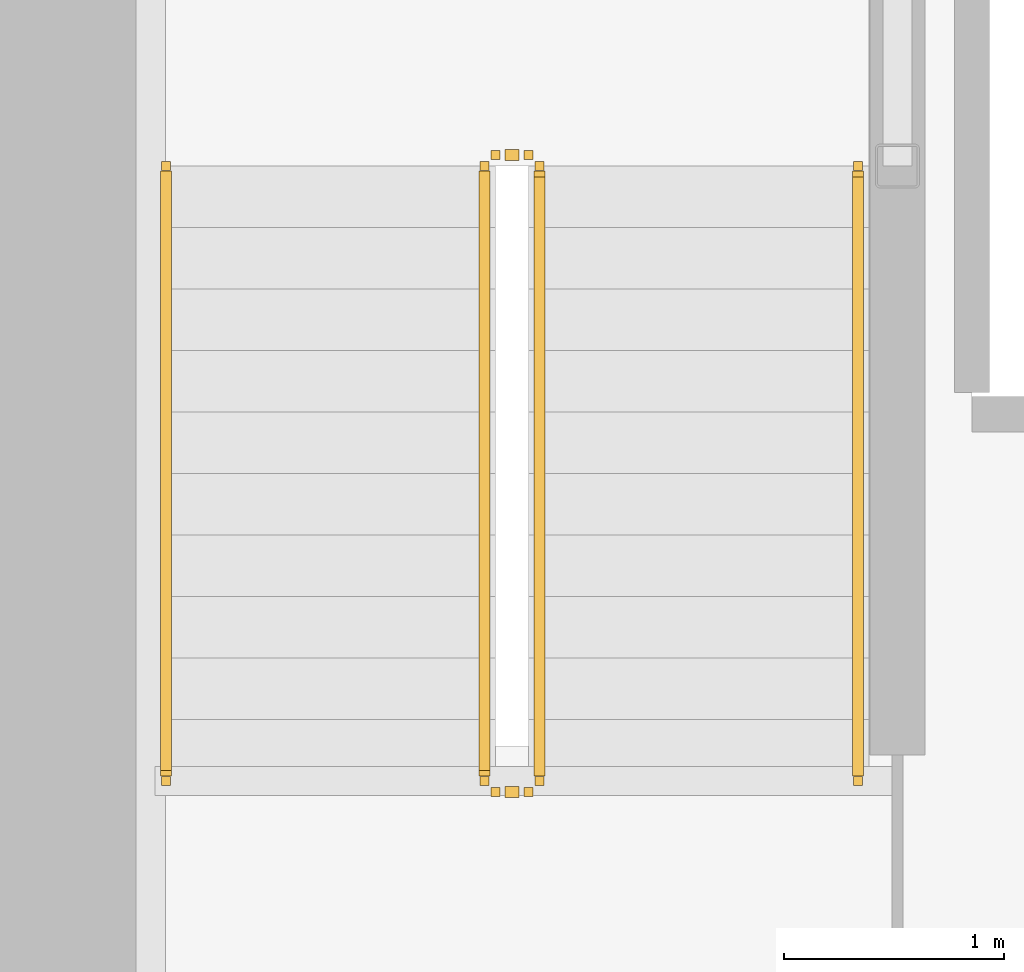
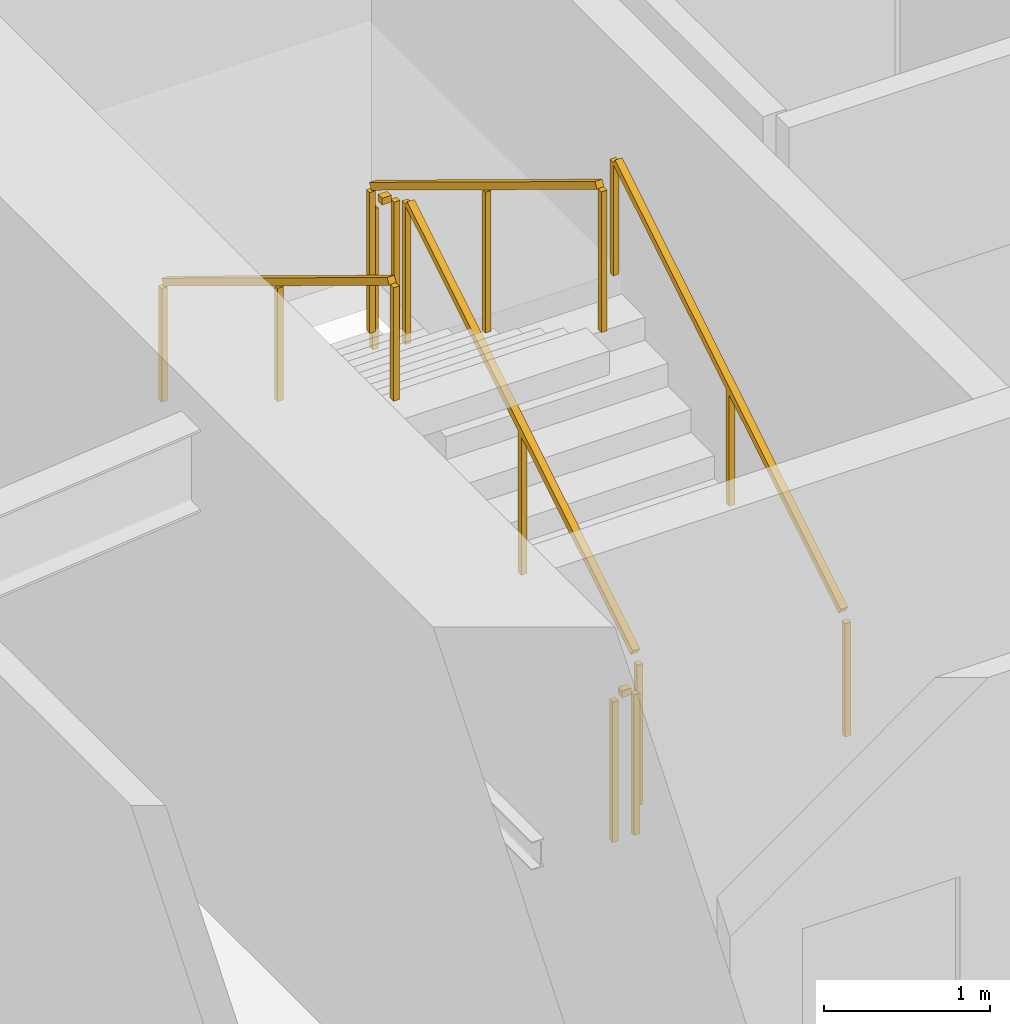
# One storey, part 26 of 31: 6 railings.
"""IFC4 building model written with IfcOpenShell, lengths in metres."""

from ifc_helpers import new_model, si_unit, direction, frame, origin, origin_2d, place, context, subcontext, project, spatial, rectangle, extrude, material, type_object, element, save


model = new_model("IFC4")

# Units and contexts
model_context = context("Model", 3, precision=1e-05, world=origin(), true_north=direction((0.0, 1.0)))
body_context = subcontext(model_context, "Body", "Model", "MODEL_VIEW")
ifc_project = project(units=[si_unit("LENGTHUNIT", "METRE"), si_unit("AREAUNIT", "SQUARE_METRE"), si_unit("VOLUMEUNIT", "CUBIC_METRE"), si_unit("PLANEANGLEUNIT", "RADIAN"), si_unit("MASSUNIT", "GRAM", prefix="KILO")], contexts=[model_context])

# Site, building, storey
site_placement = place(None, origin())
site = spatial("IfcSite", under=ifc_project, at=site_placement, CompositionType="ELEMENT")
building_placement = place(site_placement, origin())
building = spatial("IfcBuilding", under=site, at=building_placement, Name="Kazma Halo Residences", CompositionType="ELEMENT")
storey_placement = place(building_placement, frame((0.0, 0.0, 48.89990234375)))
storey = spatial("IfcBuildingStorey", under=building, at=storey_placement, Name="L11", CompositionType="ELEMENT", Elevation=48.89990234375)

# Railings
ifc_material_1 = material(Name="Painted Steel S355", Category="steel")
railing_type_1 = type_object("IfcRailingType", Name="RLG-STAIR-GRD-1100", PredefinedType="GUARDRAIL", material=ifc_material_1)
railing_1_placement = place(storey_placement, frame((39.550048828125, 39.949951171875, 0.170654296875)))
element("IfcRailing", 1, at=railing_1_placement, inside=storey, type_object=railing_type_1, Name="L11 ST-01 stair guard 1", PredefinedType="GUARDRAIL", context=body_context, shape_type="SweptSolid", body=[
    extrude(rectangle(XDim=0.050048828125, YDim=0.050048828125, at=origin_2d()), frame((0.0, 0.036376953125, 1.09716796875), z_axis=(0.0, 0.854202870247, 0.519939858505), x_axis=(-1.0, 0.0, 0.0)), (0.0, 0.0, 1.0), 3.19287109375),
    extrude(rectangle(XDim=0.0400390625, YDim=0.0400390625, at=origin_2d()), origin(), (0.0, 0.0, 1.0), 1.0380859375),
    extrude(rectangle(XDim=0.0400390625, YDim=0.0400390625, at=origin_2d()), frame((0.0, 1.39990234375, 0.85205078125)), (0.0, 0.0, 1.0), 1.0380859375),
    extrude(rectangle(XDim=0.0400390625, YDim=0.0400390625, at=origin_2d()), frame((0.0, 2.800048828125, 1.704345703125)), (0.0, 0.0, 1.0), 1.0380859375),
])
railing_2_placement = place(storey_placement, frame((39.5, 42.800048828125, 1.875)))
element("IfcRailing", 2, at=railing_2_placement, inside=storey, type_object=railing_type_1, Name="L11 ST-01 stair guard 2", PredefinedType="GUARDRAIL", context=body_context, shape_type="SweptSolid", body=[
    extrude(rectangle(XDim=0.050048828125, YDim=0.050048828125, at=origin_2d()), frame((-0.04248046875, 0.0, 1.0751953125), z_axis=(-1.0, 0.0, 0.0), x_axis=(0.0, -1.0, 0.0)), (0.0, 0.0, 1.0), 0.06494140625),
    extrude(rectangle(XDim=0.0400390625, YDim=0.0400390625, at=origin_2d()), origin(), (0.0, 0.0, 1.0), 1.0380859375),
    extrude(rectangle(XDim=0.0400390625, YDim=0.0400390625, at=origin_2d()), frame((-0.14990234375, 0.0, 0.0)), (0.0, 0.0, 1.0), 1.0380859375),
])
railing_3_placement = place(storey_placement, frame((39.300048828125, 42.75, 2.045654296875)))
element("IfcRailing", 3, at=railing_3_placement, inside=storey, type_object=railing_type_1, Name="L11 ST-01 stair guard 3", PredefinedType="GUARDRAIL", context=body_context, shape_type="SweptSolid", body=[
    extrude(rectangle(XDim=0.050048828125, YDim=0.050048828125, at=origin_2d()), frame((0.0, -0.036376953125, 1.09716796875), z_axis=(0.0, -0.854202870247, 0.519939858505), x_axis=(1.0, 0.0, 0.0)), (0.0, 0.0, 1.0), 3.19287109375),
    extrude(rectangle(XDim=0.0400390625, YDim=0.0400390625, at=origin_2d()), origin(), (0.0, 0.0, 1.0), 1.0380859375),
    extrude(rectangle(XDim=0.0400390625, YDim=0.0400390625, at=origin_2d()), frame((0.0, -1.39990234375, 0.85205078125)), (0.0, 0.0, 1.0), 1.0380859375),
    extrude(rectangle(XDim=0.0400390625, YDim=0.0400390625, at=origin_2d()), frame((0.0, -2.800048828125, 1.704345703125)), (0.0, 0.0, 1.0), 1.0380859375),
])
railing_4_placement = place(storey_placement, frame((39.5, 39.89990234375, 0.0)))
element("IfcRailing", 4, at=railing_4_placement, inside=storey, type_object=railing_type_1, Name="L11 ST-01 stair guard 4", PredefinedType="GUARDRAIL", context=body_context, shape_type="SweptSolid", body=[
    extrude(rectangle(XDim=0.050048828125, YDim=0.050048828125, at=origin_2d()), frame((-0.04248046875, 0.0, 1.0751953125), z_axis=(-1.0, 0.0, 0.0), x_axis=(0.0, -1.0, 0.0)), (0.0, 0.0, 1.0), 0.06494140625),
    extrude(rectangle(XDim=0.0400390625, YDim=0.0400390625, at=origin_2d()), origin(), (0.0, 0.0, 1.0), 1.0380859375),
    extrude(rectangle(XDim=0.0400390625, YDim=0.0400390625, at=origin_2d()), frame((-0.14990234375, 0.0, 0.0)), (0.0, 0.0, 1.0), 1.0380859375),
])
ifc_material_2 = material(Name="Brushed Stainless Steel", Category="steel")
railing_type_2 = type_object("IfcRailingType", Name="RLG-STAIR-HND-900", PredefinedType="HANDRAIL", material=ifc_material_2)
railing_5_placement = place(storey_placement, frame((41.0, 39.949951171875, 0.170654296875)))
element("IfcRailing", 5, at=railing_5_placement, inside=storey, type_object=railing_type_2, Name="L11 ST-01 stair handrail 1", PredefinedType="HANDRAIL", context=body_context, shape_type="SweptSolid", body=[
    extrude(rectangle(XDim=0.050048828125, YDim=0.050048828125, at=origin_2d()), frame((0.0, 0.036376953125, 0.89697265625), z_axis=(0.0, 0.854202870247, 0.519939858505), x_axis=(-1.0, 0.0, 0.0)), (0.0, 0.0, 1.0), 3.19287109375),
    extrude(rectangle(XDim=0.0400390625, YDim=0.0400390625, at=origin_2d()), origin(), (0.0, 0.0, 1.0), 0.837890625),
    extrude(rectangle(XDim=0.0400390625, YDim=0.0400390625, at=origin_2d()), frame((0.0, 1.39990234375, 0.85205078125)), (0.0, 0.0, 1.0), 0.837890625),
    extrude(rectangle(XDim=0.0400390625, YDim=0.0400390625, at=origin_2d()), frame((0.0, 2.800048828125, 1.704345703125)), (0.0, 0.0, 1.0), 0.837890625),
])
railing_6_placement = place(storey_placement, frame((37.85009765625, 42.75, 2.045654296875)))
element("IfcRailing", 6, at=railing_6_placement, inside=storey, type_object=railing_type_2, Name="L11 ST-01 stair handrail 2", PredefinedType="HANDRAIL", context=body_context, shape_type="SweptSolid", body=[
    extrude(rectangle(XDim=0.050048828125, YDim=0.050048828125, at=origin_2d()), frame((0.0, -0.036376953125, 0.89697265625), z_axis=(0.0, -0.854202870247, 0.519939858505), x_axis=(1.0, 0.0, 0.0)), (0.0, 0.0, 1.0), 3.19287109375),
    extrude(rectangle(XDim=0.0400390625, YDim=0.0400390625, at=origin_2d()), origin(), (0.0, 0.0, 1.0), 0.837890625),
    extrude(rectangle(XDim=0.0400390625, YDim=0.0400390625, at=origin_2d()), frame((0.0, -1.39990234375, 0.85205078125)), (0.0, 0.0, 1.0), 0.837890625),
    extrude(rectangle(XDim=0.0400390625, YDim=0.0400390625, at=origin_2d()), frame((0.0, -2.800048828125, 1.704345703125)), (0.0, 0.0, 1.0), 0.837890625),
])

save(model, "model.ifc")
